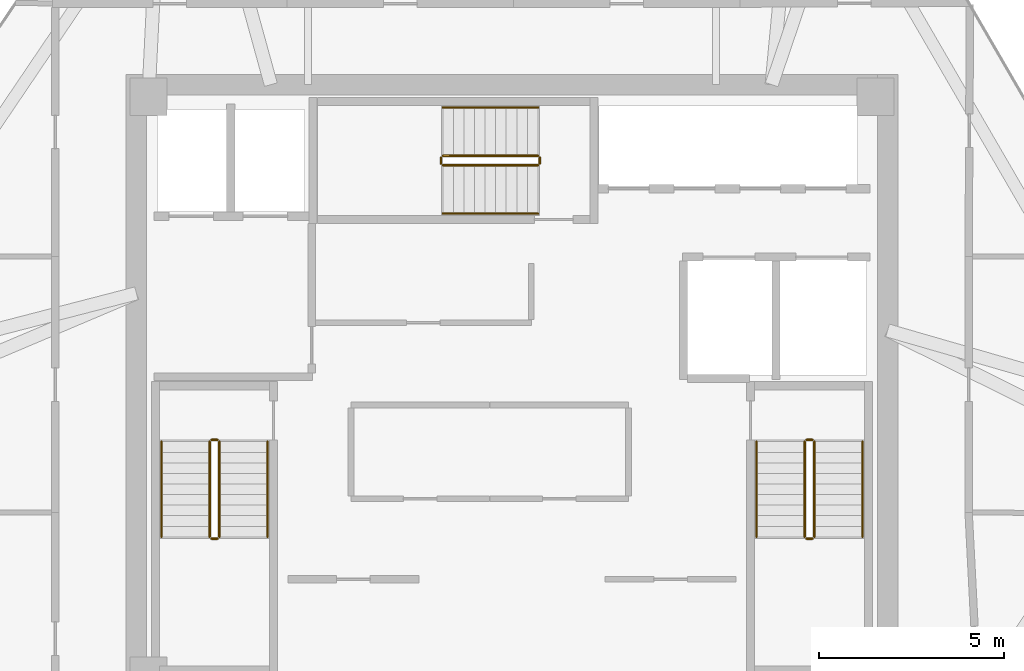
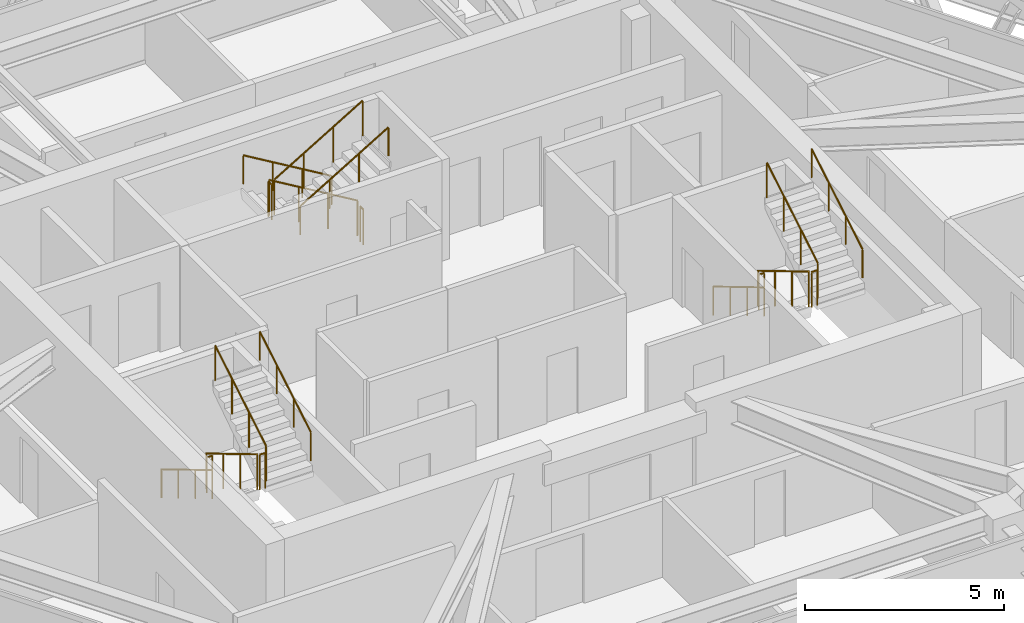
# One storey, part 11 of 11: 18 railings.
"""IFC4 building model written with IfcOpenShell, lengths in metres."""

from ifc_helpers import new_model, si_unit, direction, frame, origin, origin_2d, place, context, subcontext, project, spatial, circle, extrude, material, type_object, element, save


model = new_model("IFC4")

# Units and contexts
model_context = context("Model", 3, precision=1e-05, world=origin(), true_north=direction((0.0, 1.0)))
body_context = subcontext(model_context, "Body", "Model", "MODEL_VIEW")
ifc_project = project(units=[si_unit("LENGTHUNIT", "METRE"), si_unit("AREAUNIT", "SQUARE_METRE"), si_unit("VOLUMEUNIT", "CUBIC_METRE"), si_unit("PLANEANGLEUNIT", "RADIAN"), si_unit("MASSUNIT", "GRAM", prefix="KILO")], contexts=[model_context])

# Site, building, storey
site_placement = place(None, origin())
site = spatial("IfcSite", under=ifc_project, at=site_placement, CompositionType="ELEMENT")
building_placement = place(site_placement, origin())
building = spatial("IfcBuilding", under=site, at=building_placement, Name="Durnholm Broadcast Tower", CompositionType="ELEMENT")
storey_placement = place(building_placement, frame((0.0, 0.0, 264.89990234375)))
storey = spatial("IfcBuildingStorey", under=building, at=storey_placement, Name="L74", CompositionType="ELEMENT", Elevation=264.89990234375)

# Railings
ifc_material_1 = material(Name="Painted Tubular Steel Stair Guardrail", Category="steel")
railing_type_1 = type_object("IfcRailingType", Name="RAIL-ST-GRD", PredefinedType="GUARDRAIL", material=ifc_material_1)
railing_1_placement = place(storey_placement, frame((-8.14990234375, -1.5, 0.170166015625)))
element("IfcRailing", 1, at=railing_1_placement, inside=storey, type_object=railing_type_1, Name="L74 ST-1 stair guard 1", PredefinedType="GUARDRAIL", context=body_context, shape_type="SweptSolid", body=[
    extrude(circle(Radius=0.02392578125, at=origin_2d()), frame((0.0, 0.0, 1.076171875), z_axis=(0.0, -0.858810040619, 0.512294167576), x_axis=(1.0, 0.0, 0.0)), (0.0, 0.0, 1.0), 2.986572265625),
    extrude(circle(Radius=0.02099609375, at=origin_2d()), origin(), (0.0, 0.0, 1.0), 1.052001953125),
    extrude(circle(Radius=0.02099609375, at=origin_2d()), frame((0.0, -0.85498046875, 0.510009765625)), (0.0, 0.0, 1.0), 1.052001953125),
    extrude(circle(Radius=0.02099609375, at=origin_2d()), frame((0.0, -1.7099609375, 1.02001953125)), (0.0, 0.0, 1.0), 1.052001953125),
    extrude(circle(Radius=0.02099609375, at=origin_2d()), frame((0.0, -2.56494140625, 1.530029296875)), (0.0, 0.0, 1.0), 1.052001953125),
])
railing_2_placement = place(storey_placement, frame((-8.10009765625, -4.114990234375, 1.7001953125)))
element("IfcRailing", 2, at=railing_2_placement, inside=storey, type_object=railing_type_1, Name="L74 ST-1 stair guard 2", PredefinedType="GUARDRAIL", context=body_context, shape_type="SweptSolid", body=[
    extrude(circle(Radius=0.02392578125, at=origin_2d()), frame((0.0, 0.0, 1.076171875), z_axis=(1.0, 0.0, 0.0), x_axis=(0.0, 1.0, 0.0)), (0.0, 0.0, 1.0), 0.16015625),
    extrude(circle(Radius=0.02099609375, at=origin_2d()), origin(), (0.0, 0.0, 1.0), 1.052001953125),
    extrude(circle(Radius=0.02099609375, at=origin_2d()), frame((0.16015625, 0.0, 0.0)), (0.0, 0.0, 1.0), 1.052001953125),
])
railing_3_placement = place(storey_placement, frame((-7.889892578125, -4.06494140625, 1.8701171875)))
element("IfcRailing", 3, at=railing_3_placement, inside=storey, type_object=railing_type_1, Name="L74 ST-1 stair guard 3", PredefinedType="GUARDRAIL", context=body_context, shape_type="SweptSolid", body=[
    extrude(circle(Radius=0.02392578125, at=origin_2d()), frame((0.0, 0.0, 1.076171875), z_axis=(0.0, 0.858810040619, 0.512294167576), x_axis=(-1.0, 0.0, 0.0)), (0.0, 0.0, 1.0), 2.986572265625),
    extrude(circle(Radius=0.02099609375, at=origin_2d()), origin(), (0.0, 0.0, 1.0), 1.052001953125),
    extrude(circle(Radius=0.02099609375, at=origin_2d()), frame((0.0, 0.85498046875, 0.510009765625)), (0.0, 0.0, 1.0), 1.052001953125),
    extrude(circle(Radius=0.02099609375, at=origin_2d()), frame((0.0, 1.7099609375, 1.02001953125)), (0.0, 0.0, 1.0), 1.052001953125),
    extrude(circle(Radius=0.02099609375, at=origin_2d()), frame((0.0, 2.56494140625, 1.530029296875)), (0.0, 0.0, 1.0), 1.052001953125),
])
railing_4_placement = place(storey_placement, frame((-8.10009765625, -1.449951171875, 0.0)))
element("IfcRailing", 4, at=railing_4_placement, inside=storey, type_object=railing_type_1, Name="L74 ST-1 stair guard 4", PredefinedType="GUARDRAIL", context=body_context, shape_type="SweptSolid", body=[
    extrude(circle(Radius=0.02392578125, at=origin_2d()), frame((0.0, 0.0, 1.076171875), z_axis=(1.0, 0.0, 0.0), x_axis=(0.0, 1.0, 0.0)), (0.0, 0.0, 1.0), 0.16015625),
    extrude(circle(Radius=0.02099609375, at=origin_2d()), origin(), (0.0, 0.0, 1.0), 1.052001953125),
    extrude(circle(Radius=0.02099609375, at=origin_2d()), frame((0.16015625, 0.0, 0.0)), (0.0, 0.0, 1.0), 1.052001953125),
])
railing_5_placement = place(storey_placement, frame((7.889892578125, -1.5, 0.170166015625)))
element("IfcRailing", 5, at=railing_5_placement, inside=storey, type_object=railing_type_1, Name="L74 ST-2 stair guard 1", PredefinedType="GUARDRAIL", context=body_context, shape_type="SweptSolid", body=[
    extrude(circle(Radius=0.02392578125, at=origin_2d()), frame((0.0, 0.0, 1.076171875), z_axis=(0.0, -0.858810040619, 0.512294167576), x_axis=(1.0, 0.0, 0.0)), (0.0, 0.0, 1.0), 2.986572265625),
    extrude(circle(Radius=0.02099609375, at=origin_2d()), origin(), (0.0, 0.0, 1.0), 1.052001953125),
    extrude(circle(Radius=0.02099609375, at=origin_2d()), frame((0.0, -0.85498046875, 0.510009765625)), (0.0, 0.0, 1.0), 1.052001953125),
    extrude(circle(Radius=0.02099609375, at=origin_2d()), frame((0.0, -1.7099609375, 1.02001953125)), (0.0, 0.0, 1.0), 1.052001953125),
    extrude(circle(Radius=0.02099609375, at=origin_2d()), frame((0.0, -2.56494140625, 1.530029296875)), (0.0, 0.0, 1.0), 1.052001953125),
])
railing_6_placement = place(storey_placement, frame((7.93994140625, -4.114990234375, 1.7001953125)))
element("IfcRailing", 6, at=railing_6_placement, inside=storey, type_object=railing_type_1, Name="L74 ST-2 stair guard 2", PredefinedType="GUARDRAIL", context=body_context, shape_type="SweptSolid", body=[
    extrude(circle(Radius=0.02392578125, at=origin_2d()), frame((0.0, 0.0, 1.076171875), z_axis=(1.0, 0.0, 0.0), x_axis=(0.0, 1.0, 0.0)), (0.0, 0.0, 1.0), 0.16015625),
    extrude(circle(Radius=0.02099609375, at=origin_2d()), origin(), (0.0, 0.0, 1.0), 1.052001953125),
    extrude(circle(Radius=0.02099609375, at=origin_2d()), frame((0.16015625, 0.0, 0.0)), (0.0, 0.0, 1.0), 1.052001953125),
])
railing_7_placement = place(storey_placement, frame((8.14990234375, -4.06494140625, 1.8701171875)))
element("IfcRailing", 7, at=railing_7_placement, inside=storey, type_object=railing_type_1, Name="L74 ST-2 stair guard 3", PredefinedType="GUARDRAIL", context=body_context, shape_type="SweptSolid", body=[
    extrude(circle(Radius=0.02392578125, at=origin_2d()), frame((0.0, 0.0, 1.076171875), z_axis=(0.0, 0.858810040619, 0.512294167576), x_axis=(-1.0, 0.0, 0.0)), (0.0, 0.0, 1.0), 2.986572265625),
    extrude(circle(Radius=0.02099609375, at=origin_2d()), origin(), (0.0, 0.0, 1.0), 1.052001953125),
    extrude(circle(Radius=0.02099609375, at=origin_2d()), frame((0.0, 0.85498046875, 0.510009765625)), (0.0, 0.0, 1.0), 1.052001953125),
    extrude(circle(Radius=0.02099609375, at=origin_2d()), frame((0.0, 1.7099609375, 1.02001953125)), (0.0, 0.0, 1.0), 1.052001953125),
    extrude(circle(Radius=0.02099609375, at=origin_2d()), frame((0.0, 2.56494140625, 1.530029296875)), (0.0, 0.0, 1.0), 1.052001953125),
])
railing_8_placement = place(storey_placement, frame((7.93994140625, -1.449951171875, 0.0)))
element("IfcRailing", 8, at=railing_8_placement, inside=storey, type_object=railing_type_1, Name="L74 ST-2 stair guard 4", PredefinedType="GUARDRAIL", context=body_context, shape_type="SweptSolid", body=[
    extrude(circle(Radius=0.02392578125, at=origin_2d()), frame((0.0, 0.0, 1.076171875), z_axis=(1.0, 0.0, 0.0), x_axis=(0.0, 1.0, 0.0)), (0.0, 0.0, 1.0), 0.16015625),
    extrude(circle(Radius=0.02099609375, at=origin_2d()), origin(), (0.0, 0.0, 1.0), 1.052001953125),
    extrude(circle(Radius=0.02099609375, at=origin_2d()), frame((0.16015625, 0.0, 0.0)), (0.0, 0.0, 1.0), 1.052001953125),
])
railing_9_placement = place(storey_placement, frame((0.699951171875, 6.2099609375, 0.170166015625)))
element("IfcRailing", 9, at=railing_9_placement, inside=storey, type_object=railing_type_1, Name="L74 ST-3 stair guard 1", PredefinedType="GUARDRAIL", context=body_context, shape_type="SweptSolid", body=[
    extrude(circle(Radius=0.02392578125, at=origin_2d()), frame((0.0, 0.0, 1.076171875), z_axis=(-0.858810040619, 0.0, 0.512294167576), x_axis=(0.0, -1.0, 0.0)), (0.0, 0.0, 1.0), 2.986572265625),
    extrude(circle(Radius=0.02099609375, at=origin_2d()), origin(), (0.0, 0.0, 1.0), 1.052001953125),
    extrude(circle(Radius=0.02099609375, at=origin_2d()), frame((-0.85498046875, 0.0, 0.510009765625)), (0.0, 0.0, 1.0), 1.052001953125),
    extrude(circle(Radius=0.02099609375, at=origin_2d()), frame((-1.7099609375, 0.0, 1.02001953125)), (0.0, 0.0, 1.0), 1.052001953125),
    extrude(circle(Radius=0.02099609375, at=origin_2d()), frame((-2.56494140625, 0.0, 1.530029296875)), (0.0, 0.0, 1.0), 1.052001953125),
])
railing_10_placement = place(storey_placement, frame((-1.9150390625, 6.159912109375, 1.7001953125)))
element("IfcRailing", 10, at=railing_10_placement, inside=storey, type_object=railing_type_1, Name="L74 ST-3 stair guard 2", PredefinedType="GUARDRAIL", context=body_context, shape_type="SweptSolid", body=[
    extrude(circle(Radius=0.02392578125, at=origin_2d()), frame((0.0, 0.0, 1.076171875), z_axis=(0.0, -1.0, 0.0), x_axis=(1.0, 0.0, 0.0)), (0.0, 0.0, 1.0), 0.159912109375),
    extrude(circle(Radius=0.02099609375, at=origin_2d()), origin(), (0.0, 0.0, 1.0), 1.052001953125),
    extrude(circle(Radius=0.02099609375, at=origin_2d()), frame((0.0, -0.159912109375, 0.0)), (0.0, 0.0, 1.0), 1.052001953125),
])
railing_11_placement = place(storey_placement, frame((-1.864990234375, 5.949951171875, 1.8701171875)))
element("IfcRailing", 11, at=railing_11_placement, inside=storey, type_object=railing_type_1, Name="L74 ST-3 stair guard 3", PredefinedType="GUARDRAIL", context=body_context, shape_type="SweptSolid", body=[
    extrude(circle(Radius=0.02392578125, at=origin_2d()), frame((0.0, 0.0, 1.076171875), z_axis=(0.858810040619, 0.0, 0.512294167576), x_axis=(0.0, 1.0, 0.0)), (0.0, 0.0, 1.0), 2.986572265625),
    extrude(circle(Radius=0.02099609375, at=origin_2d()), origin(), (0.0, 0.0, 1.0), 1.052001953125),
    extrude(circle(Radius=0.02099609375, at=origin_2d()), frame((0.85498046875, 0.0, 0.510009765625)), (0.0, 0.0, 1.0), 1.052001953125),
    extrude(circle(Radius=0.02099609375, at=origin_2d()), frame((1.7099609375, 0.0, 1.02001953125)), (0.0, 0.0, 1.0), 1.052001953125),
    extrude(circle(Radius=0.02099609375, at=origin_2d()), frame((2.56494140625, 0.0, 1.530029296875)), (0.0, 0.0, 1.0), 1.052001953125),
])
railing_12_placement = place(storey_placement, frame((0.75, 6.159912109375, 0.0)))
element("IfcRailing", 12, at=railing_12_placement, inside=storey, type_object=railing_type_1, Name="L74 ST-3 stair guard 4", PredefinedType="GUARDRAIL", context=body_context, shape_type="SweptSolid", body=[
    extrude(circle(Radius=0.02392578125, at=origin_2d()), frame((0.0, 0.0, 1.076171875), z_axis=(0.0, -1.0, 0.0), x_axis=(1.0, 0.0, 0.0)), (0.0, 0.0, 1.0), 0.159912109375),
    extrude(circle(Radius=0.02099609375, at=origin_2d()), origin(), (0.0, 0.0, 1.0), 1.052001953125),
    extrude(circle(Radius=0.02099609375, at=origin_2d()), frame((0.0, -0.159912109375, 0.0)), (0.0, 0.0, 1.0), 1.052001953125),
])
ifc_material_2 = material(Name="Brushed Stainless Steel Handrail", Category="steel")
railing_type_2 = type_object("IfcRailingType", Name="RAIL-ST-HND", PredefinedType="HANDRAIL", material=ifc_material_2)
railing_13_placement = place(storey_placement, frame((-9.449951171875, -1.5, 0.340087890625)))
element("IfcRailing", 13, at=railing_13_placement, inside=storey, type_object=railing_type_2, Name="L74 ST-1 stair handrail 1", PredefinedType="HANDRAIL", context=body_context, shape_type="SweptSolid", body=[
    extrude(circle(Radius=0.02392578125, at=origin_2d()), frame((0.0, 0.0, 0.8759765625), z_axis=(0.0, -0.858810040619, 0.512294167576), x_axis=(1.0, 0.0, 0.0)), (0.0, 0.0, 1.0), 2.986572265625),
    extrude(circle(Radius=0.02099609375, at=origin_2d()), origin(), (0.0, 0.0, 1.0), 0.851806640625),
    extrude(circle(Radius=0.02099609375, at=origin_2d()), frame((0.0, -0.85498046875, 0.510009765625)), (0.0, 0.0, 1.0), 0.851806640625),
    extrude(circle(Radius=0.02099609375, at=origin_2d()), frame((0.0, -1.7099609375, 1.02001953125)), (0.0, 0.0, 1.0), 0.851806640625),
    extrude(circle(Radius=0.02099609375, at=origin_2d()), frame((0.0, -2.56494140625, 1.530029296875)), (0.0, 0.0, 1.0), 0.851806640625),
])
railing_14_placement = place(storey_placement, frame((-6.590087890625, -4.06494140625, 2.0400390625)))
element("IfcRailing", 14, at=railing_14_placement, inside=storey, type_object=railing_type_2, Name="L74 ST-1 stair handrail 2", PredefinedType="HANDRAIL", context=body_context, shape_type="SweptSolid", body=[
    extrude(circle(Radius=0.02392578125, at=origin_2d()), frame((0.0, 0.0, 0.8759765625), z_axis=(0.0, 0.858810040619, 0.512294167576), x_axis=(-1.0, 0.0, 0.0)), (0.0, 0.0, 1.0), 2.986572265625),
    extrude(circle(Radius=0.02099609375, at=origin_2d()), origin(), (0.0, 0.0, 1.0), 0.851806640625),
    extrude(circle(Radius=0.02099609375, at=origin_2d()), frame((0.0, 0.85498046875, 0.510009765625)), (0.0, 0.0, 1.0), 0.851806640625),
    extrude(circle(Radius=0.02099609375, at=origin_2d()), frame((0.0, 1.7099609375, 1.02001953125)), (0.0, 0.0, 1.0), 0.851806640625),
    extrude(circle(Radius=0.02099609375, at=origin_2d()), frame((0.0, 2.56494140625, 1.530029296875)), (0.0, 0.0, 1.0), 0.851806640625),
])
railing_15_placement = place(storey_placement, frame((6.590087890625, -1.5, 0.340087890625)))
element("IfcRailing", 15, at=railing_15_placement, inside=storey, type_object=railing_type_2, Name="L74 ST-2 stair handrail 1", PredefinedType="HANDRAIL", context=body_context, shape_type="SweptSolid", body=[
    extrude(circle(Radius=0.02392578125, at=origin_2d()), frame((0.0, 0.0, 0.8759765625), z_axis=(0.0, -0.858810040619, 0.512294167576), x_axis=(1.0, 0.0, 0.0)), (0.0, 0.0, 1.0), 2.986572265625),
    extrude(circle(Radius=0.02099609375, at=origin_2d()), origin(), (0.0, 0.0, 1.0), 0.851806640625),
    extrude(circle(Radius=0.02099609375, at=origin_2d()), frame((0.0, -0.85498046875, 0.510009765625)), (0.0, 0.0, 1.0), 0.851806640625),
    extrude(circle(Radius=0.02099609375, at=origin_2d()), frame((0.0, -1.7099609375, 1.02001953125)), (0.0, 0.0, 1.0), 0.851806640625),
    extrude(circle(Radius=0.02099609375, at=origin_2d()), frame((0.0, -2.56494140625, 1.530029296875)), (0.0, 0.0, 1.0), 0.851806640625),
])
railing_16_placement = place(storey_placement, frame((9.449951171875, -4.06494140625, 2.0400390625)))
element("IfcRailing", 16, at=railing_16_placement, inside=storey, type_object=railing_type_2, Name="L74 ST-2 stair handrail 2", PredefinedType="HANDRAIL", context=body_context, shape_type="SweptSolid", body=[
    extrude(circle(Radius=0.02392578125, at=origin_2d()), frame((0.0, 0.0, 0.8759765625), z_axis=(0.0, 0.858810040619, 0.512294167576), x_axis=(-1.0, 0.0, 0.0)), (0.0, 0.0, 1.0), 2.986572265625),
    extrude(circle(Radius=0.02099609375, at=origin_2d()), origin(), (0.0, 0.0, 1.0), 0.851806640625),
    extrude(circle(Radius=0.02099609375, at=origin_2d()), frame((0.0, 0.85498046875, 0.510009765625)), (0.0, 0.0, 1.0), 0.851806640625),
    extrude(circle(Radius=0.02099609375, at=origin_2d()), frame((0.0, 1.7099609375, 1.02001953125)), (0.0, 0.0, 1.0), 0.851806640625),
    extrude(circle(Radius=0.02099609375, at=origin_2d()), frame((0.0, 2.56494140625, 1.530029296875)), (0.0, 0.0, 1.0), 0.851806640625),
])
railing_17_placement = place(storey_placement, frame((0.699951171875, 7.510009765625, 0.340087890625)))
element("IfcRailing", 17, at=railing_17_placement, inside=storey, type_object=railing_type_2, Name="L74 ST-3 stair handrail 1", PredefinedType="HANDRAIL", context=body_context, shape_type="SweptSolid", body=[
    extrude(circle(Radius=0.02392578125, at=origin_2d()), frame((0.0, 0.0, 0.8759765625), z_axis=(-0.858810040619, 0.0, 0.512294167576), x_axis=(0.0, -1.0, 0.0)), (0.0, 0.0, 1.0), 2.986572265625),
    extrude(circle(Radius=0.02099609375, at=origin_2d()), origin(), (0.0, 0.0, 1.0), 0.851806640625),
    extrude(circle(Radius=0.02099609375, at=origin_2d()), frame((-0.85498046875, 0.0, 0.510009765625)), (0.0, 0.0, 1.0), 0.851806640625),
    extrude(circle(Radius=0.02099609375, at=origin_2d()), frame((-1.7099609375, 0.0, 1.02001953125)), (0.0, 0.0, 1.0), 0.851806640625),
    extrude(circle(Radius=0.02099609375, at=origin_2d()), frame((-2.56494140625, 0.0, 1.530029296875)), (0.0, 0.0, 1.0), 0.851806640625),
])
railing_18_placement = place(storey_placement, frame((-1.864990234375, 4.64990234375, 2.0400390625)))
element("IfcRailing", 18, at=railing_18_placement, inside=storey, type_object=railing_type_2, Name="L74 ST-3 stair handrail 2", PredefinedType="HANDRAIL", context=body_context, shape_type="SweptSolid", body=[
    extrude(circle(Radius=0.02392578125, at=origin_2d()), frame((0.0, 0.0, 0.8759765625), z_axis=(0.858810040619, 0.0, 0.512294167576), x_axis=(0.0, 1.0, 0.0)), (0.0, 0.0, 1.0), 2.986572265625),
    extrude(circle(Radius=0.02099609375, at=origin_2d()), origin(), (0.0, 0.0, 1.0), 0.851806640625),
    extrude(circle(Radius=0.02099609375, at=origin_2d()), frame((0.85498046875, 0.0, 0.510009765625)), (0.0, 0.0, 1.0), 0.851806640625),
    extrude(circle(Radius=0.02099609375, at=origin_2d()), frame((1.7099609375, 0.0, 1.02001953125)), (0.0, 0.0, 1.0), 0.851806640625),
    extrude(circle(Radius=0.02099609375, at=origin_2d()), frame((2.56494140625, 0.0, 1.530029296875)), (0.0, 0.0, 1.0), 0.851806640625),
])

save(model, "model.ifc")
